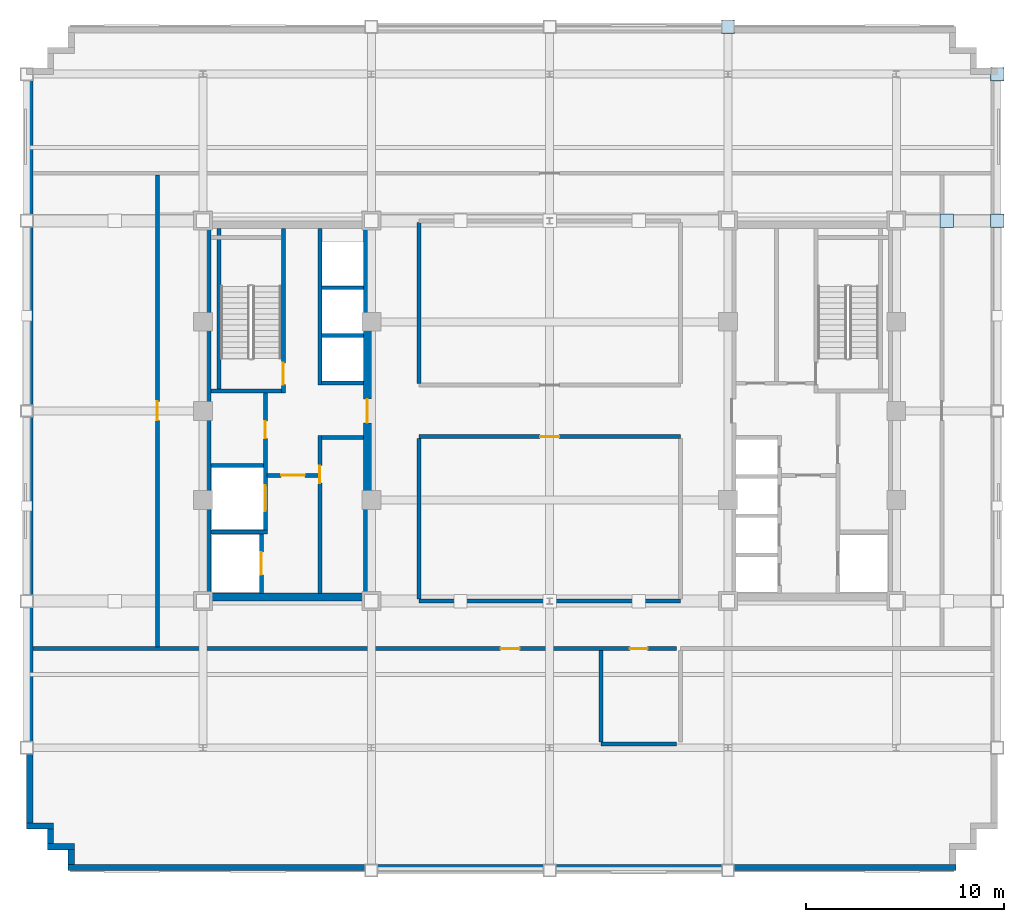
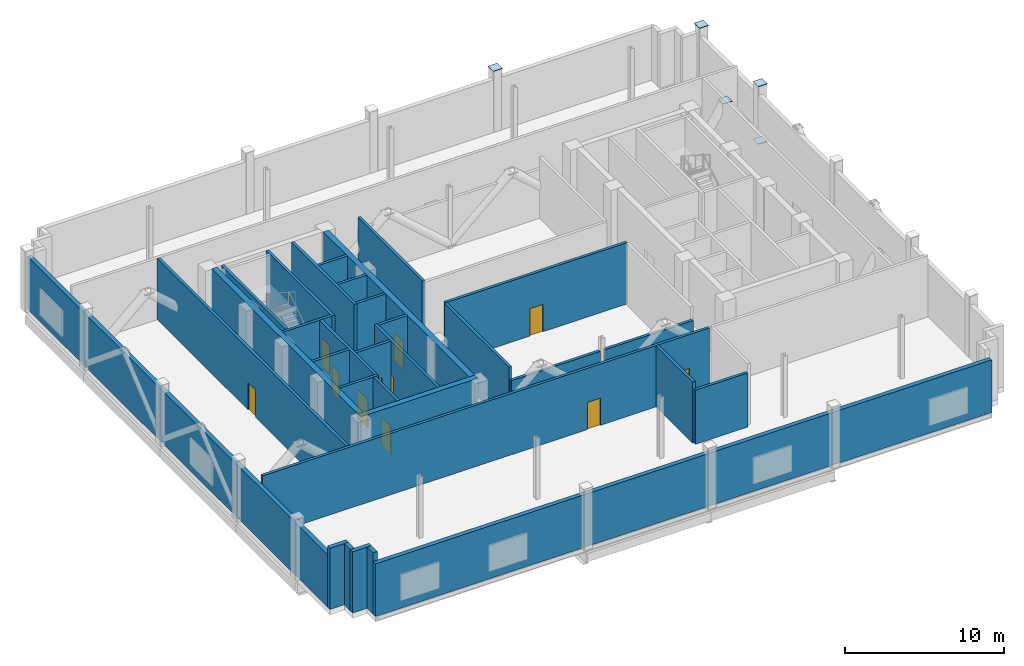
# One storey, part 7 of 13: 32 walls, 11 doors, 5 plates, 11 openings.
"""IFC4 building model written with IfcOpenShell, lengths in metres."""

from ifc_helpers import new_model, si_unit, direction, frame, frame_2d, origin, origin_2d, place, context, subcontext, project, spatial, rectangle, extrude, source, transform, mapped, material, layer, layer_set, type_object, type_shapes, element, fill, save


model = new_model("IFC4")

# Units and contexts
model_context = context("Model", 3, precision=1e-05, world=origin(), true_north=direction((0.0, 1.0)))
body_context = subcontext(model_context, "Body", "Model", "MODEL_VIEW")
ifc_project = project(units=[si_unit("LENGTHUNIT", "METRE"), si_unit("AREAUNIT", "SQUARE_METRE"), si_unit("VOLUMEUNIT", "CUBIC_METRE"), si_unit("PLANEANGLEUNIT", "RADIAN"), si_unit("MASSUNIT", "GRAM", prefix="KILO")], contexts=[model_context])

# Site, building, storey
site_placement = place(None, origin())
site = spatial("IfcSite", under=ifc_project, at=site_placement, CompositionType="ELEMENT")
building_placement = place(site_placement, origin())
building = spatial("IfcBuilding", under=site, at=building_placement, Name="Nuvemarco Arch Tower", CompositionType="ELEMENT")
storey_placement = place(building_placement, frame((0.0, 0.0, 185.89990234375)))
storey = spatial("IfcBuildingStorey", under=building, at=storey_placement, Name="L49", CompositionType="ELEMENT", Elevation=185.89990234375)

# Plates
ifc_material_1 = material(Name="Steel S355", Category="steel")
ifc_layer_1 = layer(ifc_material_1, 0.030029296875, Name="PL-CAP-650")
ifc_layer_set_1 = layer_set([ifc_layer_1], Name="Steel S355")
plate_type_1 = type_object("IfcPlateType", Name="PL-CAP-650", PredefinedType="SHEET", material=ifc_layer_set_1)
shared_shape_1 = source(origin(), body_context, "Body", "SweptSolid", [
    extrude(rectangle(XDim=0.669921875, YDim=0.669921875, at=origin_2d()), origin(), (0.0, 0.0, 1.0), 0.030029296875),
])
type_shapes(plate_type_1, [shared_shape_1])
for number, where, z_axis, x_axis, name in (
    (1, (20.050048828125, 9.60009765625, 4.2548828125), (0.0, 0.0, 1.0), (1.0, 0.0, 0.0), "Hollow steel end-cap plate OTR_E_L49_+9.6_0_C1"),
    (2, (22.60009765625, 9.60009765625, 0.28515625), (0.0, 0.0, 1.0), (1.0, 0.0, 0.0), "Hollow steel end-cap plate OTR_E_L49_+9.6_1_C1"),
):
    element("IfcPlate", number, at=place(storey_placement, frame(where, z_axis=z_axis, x_axis=x_axis)), inside=storey, type_object=plate_type_1, Name=name, PredefinedType="SHEET", context=body_context, shape_type="MappedRepresentation", body=[
        mapped(shared_shape_1, transform((0.0, 0.0, 0.0), scale=1.0)),
    ])
ifc_layer_2 = layer(ifc_material_1, 0.030029296875, Name="PL-CAP-650-EXT")
ifc_layer_set_2 = layer_set([ifc_layer_2], Name="Steel S355")
plate_type_2 = type_object("IfcPlateType", Name="PL-CAP-650-EXT", PredefinedType="SHEET", material=ifc_layer_set_2)
shared_shape_2 = source(origin(), body_context, "Body", "SweptSolid", [
    extrude(rectangle(XDim=0.669921875, YDim=0.669921875, at=origin_2d()), origin(), (0.0, 0.0, 1.0), 0.030029296875),
])
type_shapes(plate_type_2, [shared_shape_2])
for number, where, z_axis, x_axis, name in (
    (3, (22.60009765625, 9.60009765625, 4.705078125), (0.0, 0.0, 1.0), (1.0, 0.0, 0.0), "Hollow steel end-cap plate COL-L49-CX_+22.6_+9.6_TOP"),
    (4, (22.60009765625, 17.0, 4.705078125), (0.0, 0.0, 1.0), (1.0, 0.0, 0.0), "Hollow steel end-cap plate COL-L49-CX_+22.6_+17.0_TOP"),
    (5, (9.0, 19.39990234375, 4.705078125), (0.0, 0.0, 1.0), (1.0, 0.0, 0.0), "Hollow steel end-cap plate COL-L49-CY_+9.0_+19.4_TOP"),
):
    element("IfcPlate", number, at=place(storey_placement, frame(where, z_axis=z_axis, x_axis=x_axis)), inside=storey, type_object=plate_type_2, Name=name, PredefinedType="SHEET", context=body_context, shape_type="MappedRepresentation", body=[
        mapped(shared_shape_2, transform((0.0, 0.0, 0.0), scale=1.0)),
    ])

# Walls
ifc_material_2 = material(Name="Precast concrete C45/55", Category="concrete")
ifc_layer_3 = layer(ifc_material_2, 0.31005859375, Name="EW-UPP-310")
ifc_layer_set_3 = layer_set([ifc_layer_3], Name="Precast concrete C45/55")
wall_type_1 = type_object("IfcWallType", Name="EW-UPP-310", PredefinedType="STANDARD", material=ifc_layer_set_3)
wall_1_placement = place(storey_placement, frame((-24.300048828125, -23.044921875, 0.0), z_axis=(0.0, 0.0, 1.0), x_axis=(1.0, 0.0, 0.0)))
element("IfcWall", 6, at=wall_1_placement, inside=storey, type_object=wall_type_1, Name="L49 exterior precast facade wall 1", PredefinedType="STANDARD", context=body_context, shape_type="SweptSolid", body=[
    extrude(rectangle(XDim=44.800048828125, YDim=0.31005859375, at=frame_2d((22.39990234375, 0.0))), origin(), (0.0, 0.0, 1.0), 4.05517578125),
])
wall_2_placement = place(storey_placement, frame((-26.2451171875, -20.7939453125, 0.0), z_axis=(0.0, 0.0, 1.0), x_axis=(0.0, 1.0, 0.0)))
element("IfcWall", 7, at=wall_2_placement, inside=storey, type_object=wall_type_1, Name="L49 exterior precast facade wall 16", PredefinedType="STANDARD", context=body_context, shape_type="SweptSolid", body=[
    extrude(rectangle(XDim=37.787841796875, YDim=0.31005859375, at=frame_2d((18.89404296875, 0.0))), origin(), (0.0, 0.0, 1.0), 4.05517578125),
])
wall_3_placement = place(storey_placement, frame((-26.39990234375, -20.945068359375, 0.0), z_axis=(0.0, 0.0, 1.0), x_axis=(1.0, 0.0, 0.0)))
element("IfcWall", 8, at=wall_3_placement, inside=storey, type_object=wall_type_1, Name="L49 exterior precast facade wall 17", PredefinedType="STANDARD", context=body_context, shape_type="SweptSolid", body=[
    extrude(rectangle(XDim=1.35986328125, YDim=0.31005859375, at=frame_2d((0.679931640625, 0.0))), origin(), (0.0, 0.0, 1.0), 4.710205078125),
])
wall_4_placement = place(storey_placement, frame((-25.195068359375, -21.843994140625, 0.0), z_axis=(0.0, 0.0, 1.0), x_axis=(0.0, 1.0, 0.0)))
element("IfcWall", 9, at=wall_4_placement, inside=storey, type_object=wall_type_1, Name="L49 exterior precast facade wall 18", PredefinedType="STANDARD", context=body_context, shape_type="SweptSolid", body=[
    extrude(rectangle(XDim=0.748046875, YDim=0.31005859375, at=frame_2d((0.3740234375, 0.0))), origin(), (0.0, 0.0, 1.0), 4.710205078125),
])
wall_5_placement = place(storey_placement, frame((-25.35009765625, -21.9951171875, 0.0), z_axis=(0.0, 0.0, 1.0), x_axis=(1.0, 0.0, 0.0)))
element("IfcWall", 10, at=wall_5_placement, inside=storey, type_object=wall_type_1, Name="L49 exterior precast facade wall 19", PredefinedType="STANDARD", context=body_context, shape_type="SweptSolid", body=[
    extrude(rectangle(XDim=1.360107421875, YDim=0.31005859375, at=frame_2d((0.68017578125, 0.0))), origin(), (0.0, 0.0, 1.0), 4.710205078125),
])
wall_6_placement = place(storey_placement, frame((-24.14501953125, -22.89404296875, 0.0), z_axis=(0.0, 0.0, 1.0), x_axis=(0.0, 1.0, 0.0)))
element("IfcWall", 11, at=wall_6_placement, inside=storey, type_object=wall_type_1, Name="L49 exterior precast facade wall 20", PredefinedType="STANDARD", context=body_context, shape_type="SweptSolid", body=[
    extrude(rectangle(XDim=0.748046875, YDim=0.31005859375, at=frame_2d((0.3740234375, 0.0))), origin(), (0.0, 0.0, 1.0), 4.710205078125),
])
ifc_material_3 = material(Name="Concrete C60/75", Category="concrete")
ifc_layer_4 = layer(ifc_material_3, 0.39990234375, Name="WL-CORE-400")
ifc_layer_set_4 = layer_set([ifc_layer_4], Name="Concrete C60/75")
wall_type_2 = type_object("IfcWallType", Name="WL-CORE-400", PredefinedType="SHEAR", material=ifc_layer_set_4)
wall_7_placement = place(storey_placement, frame((-17.5, -9.39990234375, 0.0), z_axis=(0.0, 0.0, 1.0), x_axis=(1.0, 0.0, 0.0)))
element("IfcWall", 12, at=wall_7_placement, inside=storey, type_object=wall_type_2, Name="L49 W-core shear wall S", PredefinedType="SHEAR", context=body_context, shape_type="SweptSolid", body=[
    extrude(rectangle(XDim=8.5, YDim=0.39990234375, at=frame_2d((4.25, 0.0))), origin(), (0.0, 0.0, 1.0), 4.72021484375),
])
wall_8_placement = place(storey_placement, frame((-17.300048828125, -9.205078125, 0.0), z_axis=(0.0, 0.0, 1.0), x_axis=(0.0, 1.0, 0.0)))
element("IfcWall", 13, at=wall_8_placement, inside=storey, type_object=wall_type_2, Name="L49 W-core shear wall W", PredefinedType="SHEAR", context=body_context, shape_type="SweptSolid", body=[
    extrude(rectangle(XDim=18.41015625, YDim=0.39990234375, at=frame_2d((9.205078125, 0.0))), origin(), (0.0, 0.0, 1.0), 4.72021484375),
])

# Wall, opening, door
wall_9_placement = place(storey_placement, frame((-9.199951171875, -9.205078125, 0.0), z_axis=(0.0, 0.0, 1.0), x_axis=(0.0, 1.0, 0.0)))
wall_9 = element("IfcWall", 14, at=wall_9_placement, inside=storey, type_object=wall_type_2, Name="L49 W-core shear wall E", PredefinedType="SHEAR", context=body_context, shape_type="SweptSolid", body=[
    extrude(rectangle(XDim=18.41015625, YDim=0.39990234375, at=frame_2d((9.205078125, 0.0))), origin(), (0.0, 0.0, 1.0), 4.72021484375),
])
opening_1_placement = place(wall_9_placement, frame((8.60498046875, 0.0, 0.0)))
opening_1 = element("IfcOpeningElement", 15, at=opening_1_placement, cuts=wall_9, Name="Opening FD-2", PredefinedType="OPENING", context=body_context, shape_type="SweptSolid", body=[
    extrude(rectangle(XDim=1.199951171875, YDim=2.14990234375, at=frame_2d((0.60009765625, 1.074951171875))), frame((0.0, 0.2099609375, 0.0), z_axis=(0.0, -1.0, 0.0), x_axis=(1.0, 0.0, 0.0)), (0.0, 0.0, 1.0), 0.419921875),
])
ifc_material_4 = material(Name="Anodised steel fire door", Category="steel")
door_type_1 = type_object("IfcDoorType", Name="DR-FFLOB-FD", OperationType="NOTDEFINED", PredefinedType="DOOR", material=ifc_material_4)
shared_shape_3 = source(origin(), body_context, "Body", "SweptSolid", [
    extrude(rectangle(XDim=1.199951171875, YDim=2.14990234375, at=frame_2d((0.60009765625, 1.074951171875))), frame((0.0, 0.02490234375, 0.0), z_axis=(0.0, -1.0, 0.0), x_axis=(1.0, 0.0, 0.0)), (0.0, 0.0, 1.0), 0.050048828125),
])
type_shapes(door_type_1, [shared_shape_3])
door_1_placement = place(opening_1_placement, origin())
door_1 = element("IfcDoor", 16, at=door_1_placement, inside=storey, type_object=door_type_1, Name="L49 door FD-L49-WCORE-E", OperationType="SINGLE_SWING_RIGHT", OverallHeight=2.14990234375, OverallWidth=1.199951171875, PredefinedType="DOOR", context=body_context, shape_type="MappedRepresentation", body=[
    mapped(shared_shape_3, transform((0.0, 0.0, 0.0), scale=1.0)),
])
fill(opening_1, door_1)

# Wall
ifc_layer_5 = layer(ifc_material_2, 0.199951171875, Name="WL-PLANT-200")
ifc_layer_set_5 = layer_set([ifc_layer_5], Name="Precast concrete C45/55")
wall_type_3 = type_object("IfcWallType", Name="WL-PLANT-200", PredefinedType="STANDARD", material=ifc_layer_set_5)
wall_10_placement = place(storey_placement, frame((2.60009765625, -16.800048828125, 0.0), z_axis=(0.0, 0.0, 1.0), x_axis=(1.0, 0.0, 0.0)))
element("IfcWall", 17, at=wall_10_placement, inside=storey, type_object=wall_type_3, Name="L49 interior wall IW-L49-001", PredefinedType="STANDARD", context=body_context, shape_type="SweptSolid", body=[
    extrude(rectangle(XDim=3.7998046875, YDim=0.199951171875, at=frame_2d((1.89990234375, 0.0))), origin(), (0.0, 0.0, 1.0), 4.166015625),
])

# Wall, openings, doors
wall_11_placement = place(storey_placement, frame((-26.090087890625, -12.0, 0.0), z_axis=(0.0, 0.0, 1.0), x_axis=(1.0, 0.0, 0.0)))
wall_11 = element("IfcWall", 18, at=wall_11_placement, inside=storey, type_object=wall_type_3, Name="L49 interior wall IW-L49-002", PredefinedType="STANDARD", context=body_context, shape_type="SweptSolid", body=[
    extrude(rectangle(XDim=32.489990234375, YDim=0.199951171875, at=frame_2d((16.2451171875, 0.0))), origin(), (0.0, 0.0, 1.0), 4.710205078125),
])
opening_2_placement = place(wall_11_placement, frame((23.610107421875, 0.0, 0.0)))
opening_2 = element("IfcOpeningElement", 19, at=opening_2_placement, cuts=wall_11, Name="Opening FD-5", PredefinedType="OPENING", context=body_context, shape_type="SweptSolid", body=[
    extrude(rectangle(XDim=0.9599609375, YDim=2.10009765625, at=frame_2d((0.47998046875, 1.050048828125))), frame((0.0, 0.10986328125, 0.0), z_axis=(0.0, -1.0, 0.0), x_axis=(1.0, 0.0, 0.0)), (0.0, 0.0, 1.0), 0.219970703125),
])
opening_3_placement = place(wall_11_placement, frame((30.139892578125, 0.0, 0.0)))
opening_3 = element("IfcOpeningElement", 20, at=opening_3_placement, cuts=wall_11, Name="Opening ID-3", PredefinedType="OPENING", context=body_context, shape_type="SweptSolid", body=[
    extrude(rectangle(XDim=0.89990234375, YDim=2.10009765625, at=frame_2d((0.449951171875, 1.050048828125))), frame((0.0, 0.10986328125, 0.0), z_axis=(0.0, -1.0, 0.0), x_axis=(1.0, 0.0, 0.0)), (0.0, 0.0, 1.0), 0.219970703125),
])
ifc_material_5 = material(Name="Timber fire door", Category="wood")
door_type_2 = type_object("IfcDoorType", Name="DR-CORR-FD", OperationType="NOTDEFINED", PredefinedType="DOOR", material=ifc_material_5)
shared_shape_4 = source(origin(), body_context, "Body", "SweptSolid", [
    extrude(rectangle(XDim=0.9599609375, YDim=2.10009765625, at=frame_2d((0.47998046875, 1.050048828125))), frame((0.0, 0.02490234375, 0.0), z_axis=(0.0, -1.0, 0.0), x_axis=(1.0, 0.0, 0.0)), (0.0, 0.0, 1.0), 0.050048828125),
])
type_shapes(door_type_2, [shared_shape_4])
door_2_placement = place(opening_2_placement, origin())
door_2 = element("IfcDoor", 21, at=door_2_placement, inside=storey, type_object=door_type_2, Name="L49 door DR-L49-REF_SOUTH", OperationType="SINGLE_SWING_LEFT", OverallHeight=2.10009765625, OverallWidth=0.9599609375, PredefinedType="DOOR", context=body_context, shape_type="MappedRepresentation", body=[
    mapped(shared_shape_4, transform((0.0, 0.0, 0.0), scale=1.0)),
])
fill(opening_2, door_2)
ifc_material_6 = material(Name="Veneered oak timber fire door", Category="wood")
door_type_3 = type_object("IfcDoorType", Name="DR-WC-ACC", OperationType="NOTDEFINED", PredefinedType="DOOR", material=ifc_material_6)
shared_shape_5 = source(origin(), body_context, "Body", "SweptSolid", [
    extrude(rectangle(XDim=0.89990234375, YDim=2.10009765625, at=frame_2d((0.449951171875, 1.050048828125))), frame((0.0, 0.02490234375, 0.0), z_axis=(0.0, -1.0, 0.0), x_axis=(1.0, 0.0, 0.0)), (0.0, 0.0, 1.0), 0.050048828125),
])
type_shapes(door_type_3, [shared_shape_5])
door_3_placement = place(opening_3_placement, origin())
door_3 = element("IfcDoor", 22, at=door_3_placement, inside=storey, type_object=door_type_3, Name="L49 door DR-L49-REF_WC", OperationType="SINGLE_SWING_RIGHT", OverallHeight=2.10009765625, OverallWidth=0.89990234375, PredefinedType="DOOR", context=body_context, shape_type="MappedRepresentation", body=[
    mapped(shared_shape_5, transform((0.0, 0.0, 0.0), scale=1.0)),
])
fill(opening_3, door_3)

# Walls
for number, where, z_axis, x_axis, name in (
    (23, (-6.60009765625, -9.60009765625, 0.0), (0.0, 0.0, 1.0), (1.0, 0.0, 0.0), "L49 interior wall IW-L49-004"),
    (24, (0.15087890625, -9.60009765625, 0.0), (0.0, 0.0, 1.0), (1.0, 0.0, 0.0), "L49 interior wall IW-L49-005"),
):
    element("IfcWall", number, at=place(storey_placement, frame(where, z_axis=z_axis, x_axis=x_axis)), inside=storey, type_object=wall_type_3, Name=name, PredefinedType="STANDARD", context=body_context, shape_type="SweptSolid", body=[
        extrude(rectangle(XDim=6.44921875, YDim=0.199951171875, at=frame_2d((3.224609375, 0.0))), origin(), (0.0, 0.0, 1.0), 3.755126953125),
    ])

# Wall, opening, door
wall_12_placement = place(storey_placement, frame((-6.60009765625, -1.300048828125, 0.0), z_axis=(0.0, 0.0, 1.0), x_axis=(1.0, 0.0, 0.0)))
wall_12 = element("IfcWall", 25, at=wall_12_placement, inside=storey, type_object=wall_type_3, Name="L49 interior wall IW-L49-006", PredefinedType="STANDARD", context=body_context, shape_type="SweptSolid", body=[
    extrude(rectangle(XDim=13.2001953125, YDim=0.199951171875, at=frame_2d((6.60009765625, 0.0))), origin(), (0.0, 0.0, 1.0), 4.710205078125),
])
opening_4_placement = place(wall_12_placement, frame((6.1201171875, 0.0, 0.0)))
opening_4 = element("IfcOpeningElement", 26, at=opening_4_placement, cuts=wall_12, Name="Opening FD-5", PredefinedType="OPENING", context=body_context, shape_type="SweptSolid", body=[
    extrude(rectangle(XDim=0.9599609375, YDim=2.10009765625, at=frame_2d((0.47998046875, 1.050048828125))), frame((0.0, 0.10986328125, 0.0), z_axis=(0.0, -1.0, 0.0), x_axis=(1.0, 0.0, 0.0)), (0.0, 0.0, 1.0), 0.219970703125),
])
door_4_placement = place(opening_4_placement, origin())
door_4 = element("IfcDoor", 27, at=door_4_placement, inside=storey, type_object=door_type_2, Name="L49 door DR-L49-PL_PUMP", OperationType="SINGLE_SWING_LEFT", OverallHeight=2.10009765625, OverallWidth=0.9599609375, PredefinedType="DOOR", context=body_context, shape_type="MappedRepresentation", body=[
    mapped(shared_shape_4, transform((0.0, 0.0, 0.0), scale=1.0)),
])
fill(opening_4, door_4)

wall_13_placement = place(storey_placement, frame((-19.800048828125, -11.904052734375, 0.0), z_axis=(0.0, 0.0, 1.0), x_axis=(0.0, 1.0, 0.0)))
wall_13 = element("IfcWall", 28, at=wall_13_placement, inside=storey, type_object=wall_type_3, Name="L49 interior wall IW-L49-011", PredefinedType="STANDARD", context=body_context, shape_type="SweptSolid", body=[
    extrude(rectangle(XDim=23.80810546875, YDim=0.199951171875, at=frame_2d((11.904052734375, 0.0))), origin(), (0.0, 0.0, 1.0), 4.710205078125),
])
opening_5_placement = place(wall_13_placement, frame((11.424072265625, 0.0, 0.0)))
opening_5 = element("IfcOpeningElement", 29, at=opening_5_placement, cuts=wall_13, Name="Opening FD-5", PredefinedType="OPENING", context=body_context, shape_type="SweptSolid", body=[
    extrude(rectangle(XDim=0.9599609375, YDim=2.10009765625, at=frame_2d((0.47998046875, 1.050048828125))), frame((0.0, 0.10986328125, 0.0), z_axis=(0.0, -1.0, 0.0), x_axis=(1.0, 0.0, 0.0)), (0.0, 0.0, 1.0), 0.219970703125),
])
door_5_placement = place(opening_5_placement, origin())
door_5 = element("IfcDoor", 30, at=door_5_placement, inside=storey, type_object=door_type_2, Name="L49 door DR-L49-PL_AHU", OperationType="SINGLE_SWING_RIGHT", OverallHeight=2.10009765625, OverallWidth=0.9599609375, PredefinedType="DOOR", context=body_context, shape_type="MappedRepresentation", body=[
    mapped(shared_shape_4, transform((0.0, 0.0, 0.0), scale=1.0)),
])
fill(opening_5, door_5)

# Walls
for number, where, z_axis, x_axis, name in (
    (31, (-6.60009765625, -9.50390625, 0.0), (0.0, 0.0, 1.0), (0.0, 1.0, 0.0), "L49 interior wall IW-L49-012"),
    (32, (-6.60009765625, 1.39599609375, 0.0), (0.0, 0.0, 1.0), (0.0, 1.0, 0.0), "L49 interior wall IW-L49-013"),
):
    element("IfcWall", number, at=place(storey_placement, frame(where, z_axis=z_axis, x_axis=x_axis)), inside=storey, type_object=wall_type_3, Name=name, PredefinedType="STANDARD", context=body_context, shape_type="SweptSolid", body=[
        extrude(rectangle(XDim=8.10791015625, YDim=0.199951171875, at=frame_2d((4.053955078125, 0.0))), origin(), (0.0, 0.0, 1.0), 4.710205078125),
    ])
wall_14_placement = place(storey_placement, frame((2.60009765625, -16.7041015625, 0.0), z_axis=(0.0, 0.0, 1.0), x_axis=(0.0, 1.0, 0.0)))
element("IfcWall", 33, at=wall_14_placement, inside=storey, type_object=wall_type_3, Name="L49 interior wall IW-L49-014", PredefinedType="STANDARD", context=body_context, shape_type="SweptSolid", body=[
    extrude(rectangle(XDim=4.608154296875, YDim=0.199951171875, at=frame_2d((2.30419921875, 0.0))), origin(), (0.0, 0.0, 1.0), 4.710205078125),
])

# Wall, opening, door
ifc_material_7 = material(Name="Concrete C50/60", Category="concrete")
ifc_layer_6 = layer(ifc_material_7, 0.199951171875, Name="WL-SHAFT-220")
ifc_layer_set_6 = layer_set([ifc_layer_6], Name="Concrete C50/60")
wall_type_4 = type_object("IfcWallType", Name="WL-SHAFT-220", PredefinedType="SHEAR", material=ifc_layer_set_6)
wall_15_placement = place(storey_placement, frame((-13.43994140625, 0.89990234375, 0.0), z_axis=(0.0, 0.0, 1.0), x_axis=(0.0, 1.0, 0.0)))
wall_15 = element("IfcWall", 34, at=wall_15_placement, inside=storey, type_object=wall_type_4, Name="L49 structural shaft wall SW-L49-W-ST1E", PredefinedType="SHEAR", context=body_context, shape_type="SweptSolid", body=[
    extrude(rectangle(XDim=8.30517578125, YDim=0.199951171875, at=frame_2d((4.152587890625, 0.0))), origin(), (0.0, 0.0, 1.0), 4.72021484375),
])
opening_6_placement = place(wall_15_placement, frame((1.530029296875, 0.0, 0.0), z_axis=(0.0, 0.0, 1.0), x_axis=(-1.0, 0.0, 0.0)))
opening_6 = element("IfcOpeningElement", 35, at=opening_6_placement, cuts=wall_15, Name="Opening FD-1", PredefinedType="OPENING", context=body_context, shape_type="SweptSolid", body=[
    extrude(rectangle(XDim=1.10009765625, YDim=2.14990234375, at=frame_2d((0.550048828125, 1.074951171875))), frame((0.0, 0.10986328125, 0.0), z_axis=(0.0, -1.0, 0.0), x_axis=(1.0, 0.0, 0.0)), (0.0, 0.0, 1.0), 0.219970703125),
])
door_type_4 = type_object("IfcDoorType", Name="DR-STAIR-FD", OperationType="NOTDEFINED", PredefinedType="DOOR", material=ifc_material_4)
shared_shape_6 = source(origin(), body_context, "Body", "SweptSolid", [
    extrude(rectangle(XDim=1.10009765625, YDim=2.14990234375, at=frame_2d((0.550048828125, 1.074951171875))), frame((0.0, 0.02490234375, 0.0), z_axis=(0.0, -1.0, 0.0), x_axis=(1.0, 0.0, 0.0)), (0.0, 0.0, 1.0), 0.050048828125),
])
type_shapes(door_type_4, [shared_shape_6])
door_6_placement = place(opening_6_placement, origin())
door_6 = element("IfcDoor", 36, at=door_6_placement, inside=storey, type_object=door_type_4, Name="L49 door FD-L49-ST1", OperationType="SINGLE_SWING_LEFT", OverallHeight=2.14990234375, OverallWidth=1.10009765625, PredefinedType="DOOR", context=body_context, shape_type="MappedRepresentation", body=[
    mapped(shared_shape_6, transform((0.0, 0.0, 0.0), scale=1.0)),
])
fill(opening_6, door_6)

# Walls
wall_16_placement = place(storey_placement, frame((-17.10498046875, 1.0, 0.0), z_axis=(0.0, 0.0, 1.0), x_axis=(1.0, 0.0, 0.0)))
element("IfcWall", 37, at=wall_16_placement, inside=storey, type_object=wall_type_4, Name="L49 structural shaft wall SW-L49-W-ST1S", PredefinedType="SHEAR", context=body_context, shape_type="SweptSolid", body=[
    extrude(rectangle(XDim=3.570068359375, YDim=0.199951171875, at=frame_2d((1.78515625, 0.0))), origin(), (0.0, 0.0, 1.0), 4.72021484375),
])
wall_17_placement = place(storey_placement, frame((-16.699951171875, 1.094970703125, 0.0), z_axis=(0.0, 0.0, 1.0), x_axis=(0.0, 1.0, 0.0)))
element("IfcWall", 38, at=wall_17_placement, inside=storey, type_object=wall_type_4, Name="L49 structural shaft wall SW-L49-W-ST1W", PredefinedType="SHEAR", context=body_context, shape_type="SweptSolid", body=[
    extrude(rectangle(XDim=8.110107421875, YDim=0.199951171875, at=frame_2d((4.05517578125, 0.0))), origin(), (0.0, 0.0, 1.0), 4.72021484375),
])

# Wall, opening, door
wall_18_placement = place(storey_placement, frame((-14.550048828125, -9.205078125, 0.0), z_axis=(0.0, 0.0, 1.0), x_axis=(0.0, 1.0, 0.0)))
wall_18 = element("IfcWall", 39, at=wall_18_placement, inside=storey, type_object=wall_type_4, Name="L49 structural shaft wall SW-L49-W-SHE", PredefinedType="SHEAR", context=body_context, shape_type="SweptSolid", body=[
    extrude(rectangle(XDim=3.010009765625, YDim=0.199951171875, at=frame_2d((1.5048828125, 0.0))), origin(), (0.0, 0.0, 1.0), 4.72021484375),
])
opening_7_placement = place(wall_18_placement, frame((0.929931640625, 0.0, 0.0)))
opening_7 = element("IfcOpeningElement", 40, at=opening_7_placement, cuts=wall_18, Name="Opening LD-2", PredefinedType="OPENING", context=body_context, shape_type="SweptSolid", body=[
    extrude(rectangle(XDim=1.14990234375, YDim=2.14990234375, at=frame_2d((0.574951171875, 1.074951171875))), frame((0.0, 0.10986328125, 0.0), z_axis=(0.0, -1.0, 0.0), x_axis=(1.0, 0.0, 0.0)), (0.0, 0.0, 1.0), 0.219970703125),
])
ifc_material_8 = material(Name="Stainless steel lift door", Category="steel")
door_type_5 = type_object("IfcDoorType", Name="DR-LIFT-FIRE", OperationType="DOUBLE_DOOR_SLIDING", PredefinedType="DOOR", material=ifc_material_8)
shared_shape_7 = source(origin(), body_context, "Body", "SweptSolid", [
    extrude(rectangle(XDim=1.14990234375, YDim=2.14990234375, at=frame_2d((0.574951171875, 1.074951171875))), frame((0.0, 0.02490234375, 0.0), z_axis=(0.0, -1.0, 0.0), x_axis=(1.0, 0.0, 0.0)), (0.0, 0.0, 1.0), 0.050048828125),
])
type_shapes(door_type_5, [shared_shape_7])
door_7_placement = place(opening_7_placement, origin())
door_7 = element("IfcDoor", 41, at=door_7_placement, inside=storey, type_object=door_type_5, Name="L49 Lift landing sliding door FFL-1", OperationType="DOUBLE_DOOR_SLIDING", OverallHeight=2.14990234375, OverallWidth=1.14990234375, PredefinedType="DOOR", context=body_context, shape_type="MappedRepresentation", body=[
    mapped(shared_shape_7, transform((0.0, 0.0, 0.0), scale=1.0)),
])
fill(opening_7, door_7)

# Wall, openings, doors
wall_19_placement = place(storey_placement, frame((-14.35009765625, -6.199951171875, 0.0), z_axis=(0.0, 0.0, 1.0), x_axis=(0.0, 1.0, 0.0)))
wall_19 = element("IfcWall", 42, at=wall_19_placement, inside=storey, type_object=wall_type_4, Name="L49 structural shaft wall SW-L49-W-SVE", PredefinedType="SHEAR", context=body_context, shape_type="SweptSolid", body=[
    extrude(rectangle(XDim=7.10498046875, YDim=0.199951171875, at=frame_2d((3.552490234375, 0.0))), origin(), (0.0, 0.0, 1.0), 4.72021484375),
])
opening_8_placement = place(wall_19_placement, frame((5.68994140625, 0.0, 0.0), z_axis=(0.0, 0.0, 1.0), x_axis=(-1.0, 0.0, 0.0)))
opening_8 = element("IfcOpeningElement", 43, at=opening_8_placement, cuts=wall_19, Name="Opening FD-4", PredefinedType="OPENING", context=body_context, shape_type="SweptSolid", body=[
    extrude(rectangle(XDim=0.8798828125, YDim=2.10009765625, at=frame_2d((0.43994140625, 1.050048828125))), frame((0.0, 0.10986328125, 0.0), z_axis=(0.0, -1.0, 0.0), x_axis=(1.0, 0.0, 0.0)), (0.0, 0.0, 1.0), 0.219970703125),
])
opening_9_placement = place(wall_19_placement, frame((1.14990234375, 0.0, 0.0)))
opening_9 = element("IfcOpeningElement", 44, at=opening_9_placement, cuts=wall_19, Name="Opening LD-3", PredefinedType="OPENING", context=body_context, shape_type="SweptSolid", body=[
    extrude(rectangle(XDim=1.300048828125, YDim=2.199951171875, at=frame_2d((0.64990234375, 1.10009765625))), frame((0.0, 0.10986328125, 0.0), z_axis=(0.0, -1.0, 0.0), x_axis=(1.0, 0.0, 0.0)), (0.0, 0.0, 1.0), 0.219970703125),
])
door_type_6 = type_object("IfcDoorType", Name="DR-RISER-FD", OperationType="NOTDEFINED", PredefinedType="DOOR", material=ifc_material_4)
shared_shape_8 = source(origin(), body_context, "Body", "SweptSolid", [
    extrude(rectangle(XDim=0.8798828125, YDim=2.10009765625, at=frame_2d((0.43994140625, 1.050048828125))), frame((0.0, 0.02490234375, 0.0), z_axis=(0.0, -1.0, 0.0), x_axis=(1.0, 0.0, 0.0)), (0.0, 0.0, 1.0), 0.050048828125),
])
type_shapes(door_type_6, [shared_shape_8])
door_8_placement = place(opening_8_placement, origin())
door_8 = element("IfcDoor", 45, at=door_8_placement, inside=storey, type_object=door_type_6, Name="L49 door FD-L49-WRIS", OperationType="SINGLE_SWING_LEFT", OverallHeight=2.10009765625, OverallWidth=0.8798828125, PredefinedType="DOOR", context=body_context, shape_type="MappedRepresentation", body=[
    mapped(shared_shape_8, transform((0.0, 0.0, 0.0), scale=1.0)),
])
fill(opening_8, door_8)
door_type_7 = type_object("IfcDoorType", Name="DR-LIFT-SERV", OperationType="DOUBLE_DOOR_SLIDING", PredefinedType="DOOR", material=ifc_material_8)
shared_shape_9 = source(origin(), body_context, "Body", "SweptSolid", [
    extrude(rectangle(XDim=1.300048828125, YDim=2.199951171875, at=frame_2d((0.64990234375, 1.10009765625))), frame((0.0, 0.02490234375, 0.0), z_axis=(0.0, -1.0, 0.0), x_axis=(1.0, 0.0, 0.0)), (0.0, 0.0, 1.0), 0.050048828125),
])
type_shapes(door_type_7, [shared_shape_9])
door_9_placement = place(opening_9_placement, origin())
door_9 = element("IfcDoor", 46, at=door_9_placement, inside=storey, type_object=door_type_7, Name="L49 Lift landing sliding door SVL-1", OperationType="DOUBLE_DOOR_SLIDING", OverallHeight=2.199951171875, OverallWidth=1.300048828125, PredefinedType="DOOR", context=body_context, shape_type="MappedRepresentation", body=[
    mapped(shared_shape_9, transform((0.0, 0.0, 0.0), scale=1.0)),
])
fill(opening_9, door_9)

# Walls
wall_20_placement = place(storey_placement, frame((-17.10498046875, -6.10009765625, 0.0), z_axis=(0.0, 0.0, 1.0), x_axis=(1.0, 0.0, 0.0)))
element("IfcWall", 47, at=wall_20_placement, inside=storey, type_object=wall_type_4, Name="L49 structural shaft wall SW-L49-W-SH1", PredefinedType="SHEAR", context=body_context, shape_type="SweptSolid", body=[
    extrude(rectangle(XDim=2.85498046875, YDim=0.199951171875, at=frame_2d((1.427490234375, 0.0))), origin(), (0.0, 0.0, 1.0), 4.72021484375),
])
wall_21_placement = place(storey_placement, frame((-17.10498046875, -2.75, 0.0), z_axis=(0.0, 0.0, 1.0), x_axis=(1.0, 0.0, 0.0)))
element("IfcWall", 48, at=wall_21_placement, inside=storey, type_object=wall_type_4, Name="L49 structural shaft wall SW-L49-W-SH2", PredefinedType="SHEAR", context=body_context, shape_type="SweptSolid", body=[
    extrude(rectangle(XDim=2.659912109375, YDim=0.199951171875, at=frame_2d((1.330078125, 0.0))), origin(), (0.0, 0.0, 1.0), 4.72021484375),
])

# Wall, opening, door
wall_22_placement = place(storey_placement, frame((-11.60009765625, -9.205078125, 0.0), z_axis=(0.0, 0.0, 1.0), x_axis=(0.0, 1.0, 0.0)))
wall_22 = element("IfcWall", 49, at=wall_22_placement, inside=storey, type_object=wall_type_4, Name="L49 structural shaft wall SW-L49-W-PLW", PredefinedType="SHEAR", context=body_context, shape_type="SweptSolid", body=[
    extrude(rectangle(XDim=7.97509765625, YDim=0.199951171875, at=frame_2d((3.987548828125, 0.0))), origin(), (0.0, 0.0, 1.0), 4.72021484375),
])
opening_10_placement = place(wall_22_placement, frame((5.56494140625, 0.0, 0.0)))
opening_10 = element("IfcOpeningElement", 50, at=opening_10_placement, cuts=wall_22, Name="Opening FD-4", PredefinedType="OPENING", context=body_context, shape_type="SweptSolid", body=[
    extrude(rectangle(XDim=0.8798828125, YDim=2.10009765625, at=frame_2d((0.43994140625, 1.050048828125))), frame((0.0, 0.10986328125, 0.0), z_axis=(0.0, -1.0, 0.0), x_axis=(1.0, 0.0, 0.0)), (0.0, 0.0, 1.0), 0.219970703125),
])
door_10_placement = place(opening_10_placement, origin())
door_10 = element("IfcDoor", 51, at=door_10_placement, inside=storey, type_object=door_type_6, Name="L49 door FD-L49-WREC1", OperationType="SINGLE_SWING_LEFT", OverallHeight=2.10009765625, OverallWidth=0.8798828125, PredefinedType="DOOR", context=body_context, shape_type="MappedRepresentation", body=[
    mapped(shared_shape_8, transform((0.0, 0.0, 0.0), scale=1.0)),
])
fill(opening_10, door_10)

wall_23_placement = place(storey_placement, frame((-14.2548828125, -3.25, 0.0), z_axis=(0.0, 0.0, 1.0), x_axis=(1.0, 0.0, 0.0)))
wall_23 = element("IfcWall", 52, at=wall_23_placement, inside=storey, type_object=wall_type_4, Name="L49 structural shaft wall SW-L49-W-FFN", PredefinedType="SHEAR", context=body_context, shape_type="SweptSolid", body=[
    extrude(rectangle(XDim=2.559814453125, YDim=0.199951171875, at=frame_2d((1.27978515625, 0.0))), origin(), (0.0, 0.0, 1.0), 4.72021484375),
])
opening_11_placement = place(wall_23_placement, frame((0.705078125, 0.0, 0.0)))
opening_11 = element("IfcOpeningElement", 53, at=opening_11_placement, cuts=wall_23, Name="Opening FD-2", PredefinedType="OPENING", context=body_context, shape_type="SweptSolid", body=[
    extrude(rectangle(XDim=1.199951171875, YDim=2.14990234375, at=frame_2d((0.60009765625, 1.074951171875))), frame((0.0, 0.10986328125, 0.0), z_axis=(0.0, -1.0, 0.0), x_axis=(1.0, 0.0, 0.0)), (0.0, 0.0, 1.0), 0.219970703125),
])
door_11_placement = place(opening_11_placement, origin())
door_11 = element("IfcDoor", 54, at=door_11_placement, inside=storey, type_object=door_type_1, Name="L49 door FD-L49-WFF1", OperationType="SINGLE_SWING_LEFT", OverallHeight=2.14990234375, OverallWidth=1.199951171875, PredefinedType="DOOR", context=body_context, shape_type="MappedRepresentation", body=[
    mapped(shared_shape_3, transform((0.0, 0.0, 0.0), scale=1.0)),
])
fill(opening_11, door_11)

# Walls
wall_24_placement = place(storey_placement, frame((-11.5048828125, -1.330078125, 0.0), z_axis=(0.0, 0.0, 1.0), x_axis=(1.0, 0.0, 0.0)))
element("IfcWall", 55, at=wall_24_placement, inside=storey, type_object=wall_type_4, Name="L49 structural shaft wall SW-L49-W-PLTOP", PredefinedType="SHEAR", context=body_context, shape_type="SweptSolid", body=[
    extrude(rectangle(XDim=2.10986328125, YDim=0.199951171875, at=frame_2d((1.054931640625, 0.0))), origin(), (0.0, 0.0, 1.0), 4.72021484375),
])
wall_25_placement = place(storey_placement, frame((-11.60009765625, 1.300048828125, 0.0), z_axis=(0.0, 0.0, 1.0), x_axis=(0.0, 1.0, 0.0)))
element("IfcWall", 56, at=wall_25_placement, inside=storey, type_object=wall_type_4, Name="L49 structural shaft wall SW-L49-W-PHW", PredefinedType="SHEAR", context=body_context, shape_type="SweptSolid", body=[
    extrude(rectangle(XDim=7.905029296875, YDim=0.199951171875, at=frame_2d((3.95263671875, 0.0))), origin(), (0.0, 0.0, 1.0), 4.72021484375),
])
for number, where, z_axis, x_axis, name in (
    (57, (-11.5048828125, 1.39990234375, 0.0), (0.0, 0.0, 1.0), (1.0, 0.0, 0.0), "L49 structural shaft wall SW-L49-W-PHD1"),
    (58, (-11.5048828125, 3.800048828125, 0.0), (0.0, 0.0, 1.0), (1.0, 0.0, 0.0), "L49 structural shaft wall SW-L49-W-PHD2"),
    (59, (-11.5048828125, 6.219970703125, 0.0), (0.0, 0.0, 1.0), (1.0, 0.0, 0.0), "L49 structural shaft wall SW-L49-W-PHD3"),
):
    element("IfcWall", number, at=place(storey_placement, frame(where, z_axis=z_axis, x_axis=x_axis)), inside=storey, type_object=wall_type_4, Name=name, PredefinedType="SHEAR", context=body_context, shape_type="SweptSolid", body=[
        extrude(rectangle(XDim=2.10986328125, YDim=0.199951171875, at=frame_2d((1.054931640625, 0.0))), origin(), (0.0, 0.0, 1.0), 4.72021484375),
    ])

save(model, "model.ifc")
